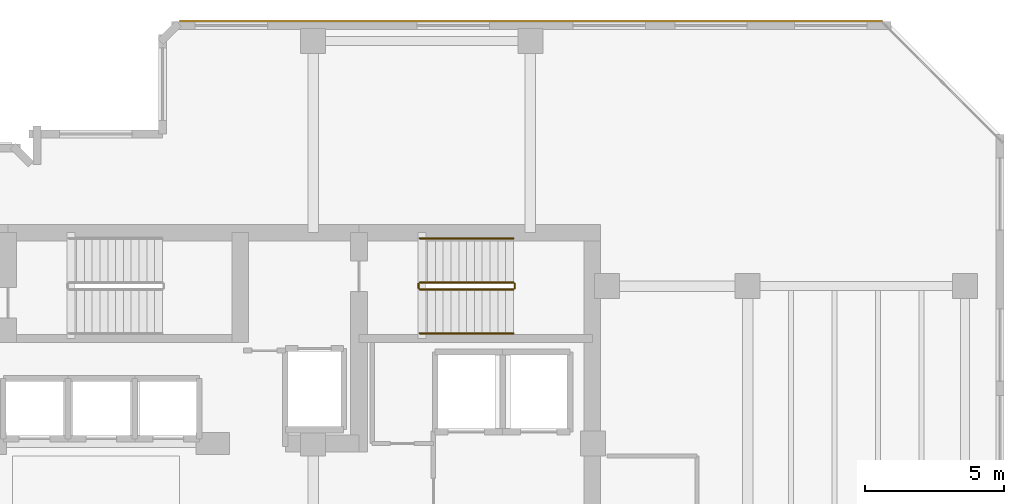
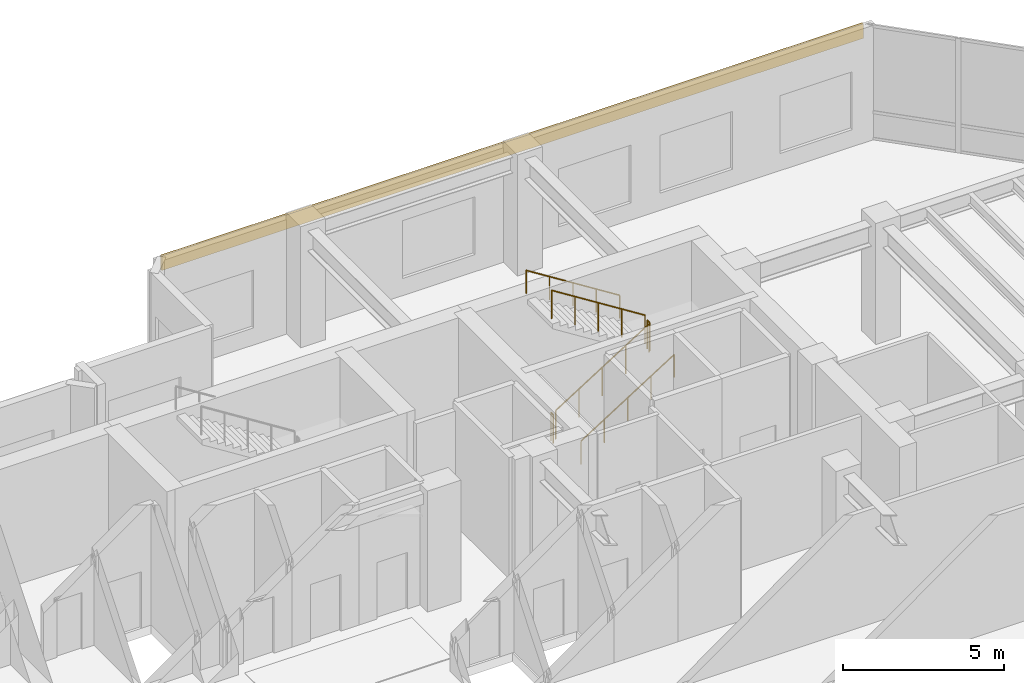
# One storey, part 20 of 20: 6 railings, 1 covering.
"""IFC4 building model written with IfcOpenShell, lengths in metres."""

from ifc_helpers import new_model, si_unit, direction, frame, origin, origin_2d, place, context, subcontext, project, spatial, rectangle, circle, extrude, material, layer, layer_set, type_object, element, save


model = new_model("IFC4")

# Units and contexts
model_context = context("Model", 3, precision=1e-05, world=origin(), true_north=direction((0.0, 1.0)))
body_context = subcontext(model_context, "Body", "Model", "MODEL_VIEW")
ifc_project = project(units=[si_unit("LENGTHUNIT", "METRE"), si_unit("AREAUNIT", "SQUARE_METRE"), si_unit("VOLUMEUNIT", "CUBIC_METRE"), si_unit("PLANEANGLEUNIT", "RADIAN"), si_unit("MASSUNIT", "GRAM", prefix="KILO")], contexts=[model_context])

# Site, building, storey
site_placement = place(None, origin())
site = spatial("IfcSite", under=ifc_project, at=site_placement, CompositionType="ELEMENT")
building_placement = place(site_placement, origin())
building = spatial("IfcBuilding", under=site, at=building_placement, Name="Kestravale Grand Hotel", CompositionType="ELEMENT")
storey_placement = place(building_placement, frame((0.0, 0.0, 231.89990234375)))
storey = spatial("IfcBuildingStorey", under=building, at=storey_placement, Name="L58", CompositionType="ELEMENT", Elevation=231.89990234375)

# Covering
ifc_material_1 = material(Name="Warm limestone-toned fluted architectural precast cladding", Category="masonry")
ifc_layer = layer(ifc_material_1, 0.074951171875)
ifc_layer_set = layer_set([ifc_layer], Name="COV-CLAD-LIM")
covering_type = type_object("IfcCoveringType", Name="COV-CLAD-LIM", PredefinedType="CLADDING", material=ifc_layer_set)
covering_placement = place(storey_placement, frame((54.625, 47.9150390625, 3.77490234375), z_axis=(0.0, 0.0, 1.0), x_axis=(-1.0, 0.0, 0.0)))
element("IfcCovering", 1, at=covering_placement, inside=storey, type_object=covering_type, Name="L58 fluted limestone spandrel cladding 11", PredefinedType="CLADDING", context=body_context, shape_type="SweptSolid", body=[
    extrude(rectangle(XDim=25.22998046875, YDim=0.074951171875, at=origin_2d()), origin(), (0.0, 0.0, 1.0), 0.550048828125),
])

# Railings
ifc_material_2 = material(Name="Painted tubular steel stair well guard", Category="steel")
railing_type_1 = type_object("IfcRailingType", Name="RL-ST-GRD1100", PredefinedType="GUARDRAIL", material=ifc_material_2)
railing_1_placement = place(storey_placement, frame((50.6298828125, 38.280029296875, 0.177001953125)))
element("IfcRailing", 2, at=railing_1_placement, inside=storey, type_object=railing_type_1, Name="L58 ST-3 stair guard 1", PredefinedType="GUARDRAIL", context=body_context, shape_type="SweptSolid", body=[
    extrude(circle(Radius=0.02392578125, at=origin_2d()), frame((0.0, 0.0, 1.076171875), z_axis=(0.845389635667, 0.0, 0.534150132366), x_axis=(0.0, 1.0, 0.0)), (0.0, 0.0, 1.0), 3.974609375),
    extrude(circle(Radius=0.02099609375, at=origin_2d()), origin(), (0.0, 0.0, 1.0), 1.052001953125),
    extrude(circle(Radius=0.02099609375, at=origin_2d()), frame((0.840087890625, 0.0, 0.53076171875)), (0.0, 0.0, 1.0), 1.052001953125),
    extrude(circle(Radius=0.02099609375, at=origin_2d()), frame((1.68017578125, 0.0, 1.0615234375)), (0.0, 0.0, 1.0), 1.052001953125),
    extrude(circle(Radius=0.02099609375, at=origin_2d()), frame((2.52001953125, 0.0, 1.59228515625)), (0.0, 0.0, 1.0), 1.052001953125),
    extrude(circle(Radius=0.02099609375, at=origin_2d()), frame((3.360107421875, 0.0, 2.123046875)), (0.0, 0.0, 1.0), 1.052001953125),
])
railing_2_placement = place(storey_placement, frame((54.0400390625, 38.330078125, 2.300048828125)))
element("IfcRailing", 3, at=railing_2_placement, inside=storey, type_object=railing_type_1, Name="L58 ST-3 stair guard 2", PredefinedType="GUARDRAIL", context=body_context, shape_type="SweptSolid", body=[
    extrude(circle(Radius=0.02392578125, at=origin_2d()), frame((0.0, 0.0, 1.076171875), z_axis=(0.0, 1.0, 0.0), x_axis=(-1.0, 0.0, 0.0)), (0.0, 0.0, 1.0), 0.14990234375),
    extrude(circle(Radius=0.02099609375, at=origin_2d()), origin(), (0.0, 0.0, 1.0), 1.052001953125),
    extrude(circle(Radius=0.02099609375, at=origin_2d()), frame((0.0, 0.14990234375, 0.0)), (0.0, 0.0, 1.0), 1.052001953125),
])
railing_3_placement = place(storey_placement, frame((53.989990234375, 38.530029296875, 2.47705078125)))
element("IfcRailing", 4, at=railing_3_placement, inside=storey, type_object=railing_type_1, Name="L58 ST-3 stair guard 3", PredefinedType="GUARDRAIL", context=body_context, shape_type="SweptSolid", body=[
    extrude(circle(Radius=0.02392578125, at=origin_2d()), frame((0.0, 0.0, 1.076171875), z_axis=(-0.845389635667, 0.0, 0.534150132366), x_axis=(0.0, -1.0, 0.0)), (0.0, 0.0, 1.0), 3.974609375),
    extrude(circle(Radius=0.02099609375, at=origin_2d()), origin(), (0.0, 0.0, 1.0), 1.052001953125),
    extrude(circle(Radius=0.02099609375, at=origin_2d()), frame((-0.840087890625, 0.0, 0.53076171875)), (0.0, 0.0, 1.0), 1.052001953125),
    extrude(circle(Radius=0.02099609375, at=origin_2d()), frame((-1.68017578125, 0.0, 1.0615234375)), (0.0, 0.0, 1.0), 1.052001953125),
    extrude(circle(Radius=0.02099609375, at=origin_2d()), frame((-2.52001953125, 0.0, 1.59228515625)), (0.0, 0.0, 1.0), 1.052001953125),
    extrude(circle(Radius=0.02099609375, at=origin_2d()), frame((-3.360107421875, 0.0, 2.123046875)), (0.0, 0.0, 1.0), 1.052001953125),
])
railing_4_placement = place(storey_placement, frame((50.580078125, 38.330078125, 0.0)))
element("IfcRailing", 5, at=railing_4_placement, inside=storey, type_object=railing_type_1, Name="L58 ST-3 stair guard 4", PredefinedType="GUARDRAIL", context=body_context, shape_type="SweptSolid", body=[
    extrude(circle(Radius=0.02392578125, at=origin_2d()), frame((0.0, 0.0, 1.076171875), z_axis=(0.0, 1.0, 0.0), x_axis=(-1.0, 0.0, 0.0)), (0.0, 0.0, 1.0), 0.14990234375),
    extrude(circle(Radius=0.02099609375, at=origin_2d()), origin(), (0.0, 0.0, 1.0), 1.052001953125),
    extrude(circle(Radius=0.02099609375, at=origin_2d()), frame((0.0, 0.14990234375, 0.0)), (0.0, 0.0, 1.0), 1.052001953125),
])
ifc_material_3 = material(Name="Brushed stainless steel wall handrail", Category="steel")
railing_type_2 = type_object("IfcRailingType", Name="RL-ST-HND900", PredefinedType="HANDRAIL", material=ifc_material_3)
railing_5_placement = place(storey_placement, frame((50.6298828125, 36.699951171875, 0.177001953125)))
element("IfcRailing", 6, at=railing_5_placement, inside=storey, type_object=railing_type_2, Name="L58 ST-3 stair handrail 1", PredefinedType="HANDRAIL", context=body_context, shape_type="SweptSolid", body=[
    extrude(circle(Radius=0.02392578125, at=origin_2d()), frame((0.0, 0.0, 0.8759765625), z_axis=(0.845389635667, 0.0, 0.534150132366), x_axis=(0.0, 1.0, 0.0)), (0.0, 0.0, 1.0), 3.974609375),
    extrude(circle(Radius=0.02099609375, at=origin_2d()), origin(), (0.0, 0.0, 1.0), 0.851806640625),
    extrude(circle(Radius=0.02099609375, at=origin_2d()), frame((0.840087890625, 0.0, 0.53076171875)), (0.0, 0.0, 1.0), 0.851806640625),
    extrude(circle(Radius=0.02099609375, at=origin_2d()), frame((1.68017578125, 0.0, 1.0615234375)), (0.0, 0.0, 1.0), 0.851806640625),
    extrude(circle(Radius=0.02099609375, at=origin_2d()), frame((2.52001953125, 0.0, 1.59228515625)), (0.0, 0.0, 1.0), 0.851806640625),
    extrude(circle(Radius=0.02099609375, at=origin_2d()), frame((3.360107421875, 0.0, 2.123046875)), (0.0, 0.0, 1.0), 0.851806640625),
])
railing_6_placement = place(storey_placement, frame((53.989990234375, 40.110107421875, 2.47705078125)))
element("IfcRailing", 7, at=railing_6_placement, inside=storey, type_object=railing_type_2, Name="L58 ST-3 stair handrail 2", PredefinedType="HANDRAIL", context=body_context, shape_type="SweptSolid", body=[
    extrude(circle(Radius=0.02392578125, at=origin_2d()), frame((0.0, 0.0, 0.8759765625), z_axis=(-0.845389635667, 0.0, 0.534150132366), x_axis=(0.0, -1.0, 0.0)), (0.0, 0.0, 1.0), 3.974609375),
    extrude(circle(Radius=0.02099609375, at=origin_2d()), origin(), (0.0, 0.0, 1.0), 0.851806640625),
    extrude(circle(Radius=0.02099609375, at=origin_2d()), frame((-0.840087890625, 0.0, 0.53076171875)), (0.0, 0.0, 1.0), 0.851806640625),
    extrude(circle(Radius=0.02099609375, at=origin_2d()), frame((-1.68017578125, 0.0, 1.0615234375)), (0.0, 0.0, 1.0), 0.851806640625),
    extrude(circle(Radius=0.02099609375, at=origin_2d()), frame((-2.52001953125, 0.0, 1.59228515625)), (0.0, 0.0, 1.0), 0.851806640625),
    extrude(circle(Radius=0.02099609375, at=origin_2d()), frame((-3.360107421875, 0.0, 2.123046875)), (0.0, 0.0, 1.0), 0.851806640625),
])

save(model, "model.ifc")
